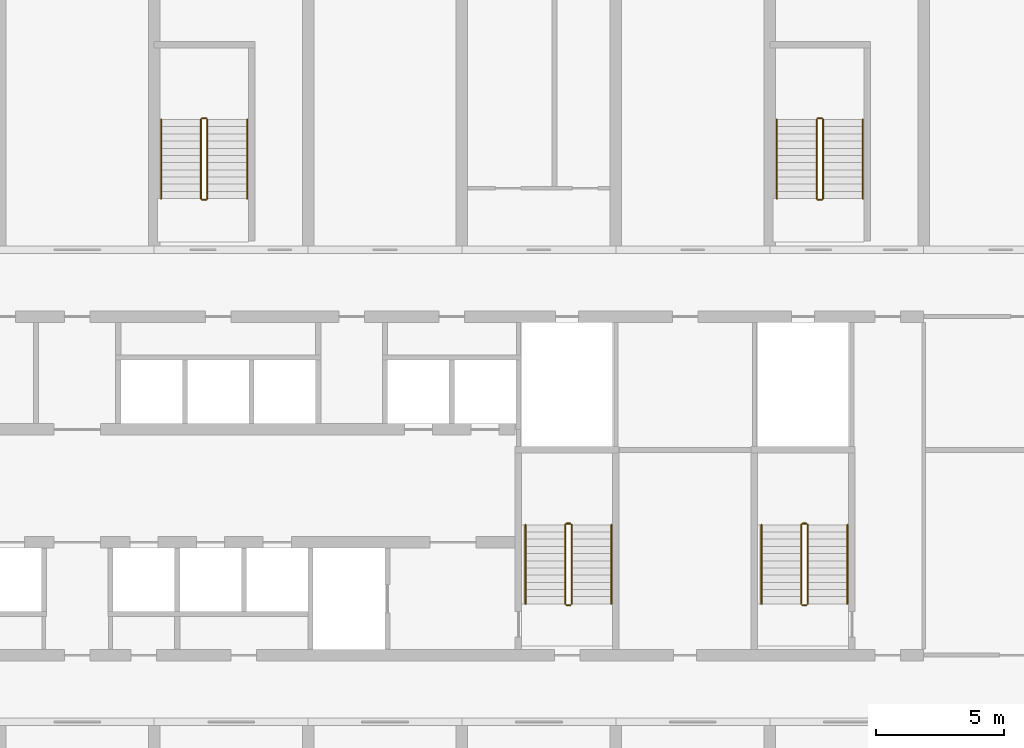
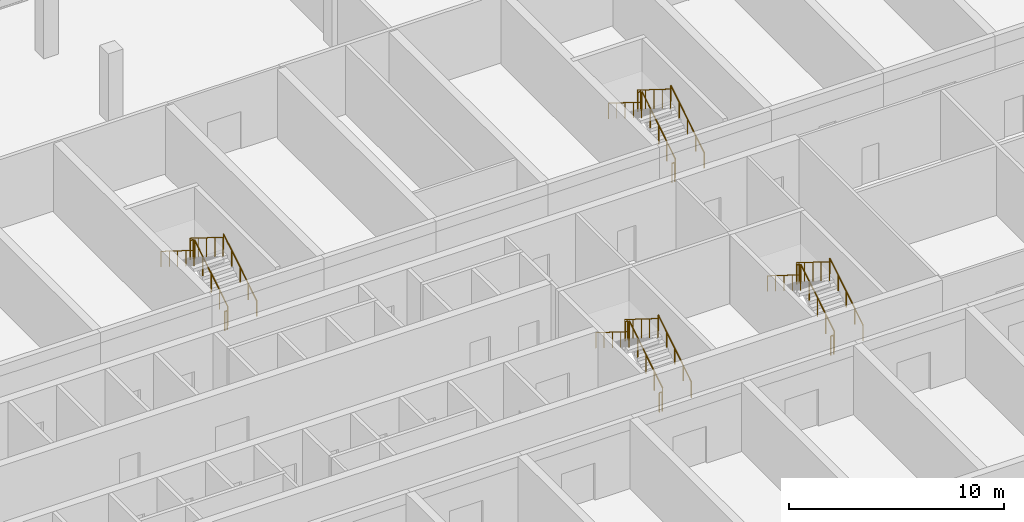
# One storey, part 14 of 15: 24 railings.
"""IFC4 building model written with IfcOpenShell, lengths in metres."""

from ifc_helpers import new_model, si_unit, direction, frame, origin, origin_2d, place, context, subcontext, project, spatial, circle, extrude, material, type_object, element, save


model = new_model("IFC4")

# Units and contexts
model_context = context("Model", 3, precision=1e-05, world=origin(), true_north=direction((0.0, 1.0)))
body_context = subcontext(model_context, "Body", "Model", "MODEL_VIEW")
ifc_project = project(units=[si_unit("LENGTHUNIT", "METRE"), si_unit("AREAUNIT", "SQUARE_METRE"), si_unit("VOLUMEUNIT", "CUBIC_METRE"), si_unit("PLANEANGLEUNIT", "RADIAN"), si_unit("MASSUNIT", "GRAM", prefix="KILO")], contexts=[model_context])

# Site, building, storey
site_placement = place(None, origin())
site = spatial("IfcSite", under=ifc_project, at=site_placement, CompositionType="ELEMENT")
building_placement = place(site_placement, origin())
building = spatial("IfcBuilding", under=site, at=building_placement, Name="Poui Terraces", CompositionType="ELEMENT")
storey_placement = place(building_placement, frame((0.0, 0.0, 10.800048828125)))
storey = spatial("IfcBuildingStorey", under=building, at=storey_placement, Name="L02", CompositionType="ELEMENT", Elevation=10.800048828125)

# Railings
ifc_material_1 = material(Name="Galvanised steel balustrade", Category="steel")
railing_type_1 = type_object("IfcRailingType", Name="STAIR GUARD 1100", PredefinedType="GUARDRAIL", material=ifc_material_1)
railing_1_placement = place(storey_placement, frame((70.27490234375, 16.60009765625, 0.175048828125)))
element("IfcRailing", 1, at=railing_1_placement, inside=storey, type_object=railing_type_1, Name="L02 ST-CE stair guard 1", PredefinedType="GUARDRAIL", context=body_context, shape_type="SweptSolid", body=[
    extrude(circle(Radius=0.02392578125, at=origin_2d()), frame((0.0, 0.0, 1.076171875), z_axis=(0.0, 0.848009633417, 0.529980812513), x_axis=(-1.0, 0.0, 0.0)), (0.0, 0.0, 1.0), 3.6318359375),
    extrude(circle(Radius=0.02099609375, at=origin_2d()), origin(), (0.0, 0.0, 1.0), 1.052001953125),
    extrude(circle(Radius=0.02099609375, at=origin_2d()), frame((0.0, 0.77001953125, 0.481201171875)), (0.0, 0.0, 1.0), 1.052001953125),
    extrude(circle(Radius=0.02099609375, at=origin_2d()), frame((0.0, 1.5400390625, 0.96240234375)), (0.0, 0.0, 1.0), 1.052001953125),
    extrude(circle(Radius=0.02099609375, at=origin_2d()), frame((0.0, 2.309814453125, 1.443603515625)), (0.0, 0.0, 1.0), 1.052001953125),
    extrude(circle(Radius=0.02099609375, at=origin_2d()), frame((0.0, 3.079833984375, 1.9248046875)), (0.0, 0.0, 1.0), 1.052001953125),
])
railing_2_placement = place(storey_placement, frame((70.22509765625, 19.72998046875, 2.099853515625)))
element("IfcRailing", 2, at=railing_2_placement, inside=storey, type_object=railing_type_1, Name="L02 ST-CE stair guard 2", PredefinedType="GUARDRAIL", context=body_context, shape_type="SweptSolid", body=[
    extrude(circle(Radius=0.02392578125, at=origin_2d()), frame((0.0, 0.0, 1.076171875), z_axis=(-1.0, 0.0, 0.0), x_axis=(0.0, -1.0, 0.0)), (0.0, 0.0, 1.0), 0.150146484375),
    extrude(circle(Radius=0.02099609375, at=origin_2d()), origin(), (0.0, 0.0, 1.0), 1.052001953125),
    extrude(circle(Radius=0.02099609375, at=origin_2d()), frame((-0.150146484375, 0.0, 0.0)), (0.0, 0.0, 1.0), 1.052001953125),
])
railing_3_placement = place(storey_placement, frame((70.02490234375, 19.679931640625, 2.27490234375)))
element("IfcRailing", 3, at=railing_3_placement, inside=storey, type_object=railing_type_1, Name="L02 ST-CE stair guard 3", PredefinedType="GUARDRAIL", context=body_context, shape_type="SweptSolid", body=[
    extrude(circle(Radius=0.02392578125, at=origin_2d()), frame((0.0, 0.0, 1.076171875), z_axis=(0.0, -0.847979421464, 0.530029150871), x_axis=(1.0, 0.0, 0.0)), (0.0, 0.0, 1.0), 3.632080078125),
    extrude(circle(Radius=0.02099609375, at=origin_2d()), origin(), (0.0, 0.0, 1.0), 1.052001953125),
    extrude(circle(Radius=0.02099609375, at=origin_2d()), frame((0.0, -0.77001953125, 0.481201171875)), (0.0, 0.0, 1.0), 1.052001953125),
    extrude(circle(Radius=0.02099609375, at=origin_2d()), frame((0.0, -1.5400390625, 0.96240234375)), (0.0, 0.0, 1.0), 1.052001953125),
    extrude(circle(Radius=0.02099609375, at=origin_2d()), frame((0.0, -2.309814453125, 1.44384765625)), (0.0, 0.0, 1.0), 1.052001953125),
    extrude(circle(Radius=0.02099609375, at=origin_2d()), frame((0.0, -3.079833984375, 1.925048828125)), (0.0, 0.0, 1.0), 1.052001953125),
])
railing_4_placement = place(storey_placement, frame((70.22509765625, 16.550048828125, 0.0)))
element("IfcRailing", 4, at=railing_4_placement, inside=storey, type_object=railing_type_1, Name="L02 ST-CE stair guard 4", PredefinedType="GUARDRAIL", context=body_context, shape_type="SweptSolid", body=[
    extrude(circle(Radius=0.02392578125, at=origin_2d()), frame((0.0, 0.0, 1.076171875), z_axis=(-1.0, 0.0, 0.0), x_axis=(0.0, -1.0, 0.0)), (0.0, 0.0, 1.0), 0.150146484375),
    extrude(circle(Radius=0.02099609375, at=origin_2d()), origin(), (0.0, 0.0, 1.0), 1.052001953125),
    extrude(circle(Radius=0.02099609375, at=origin_2d()), frame((-0.150146484375, 0.0, 0.0)), (0.0, 0.0, 1.0), 1.052001953125),
])
railing_5_placement = place(storey_placement, frame((79.47509765625, 16.60009765625, 0.175048828125)))
element("IfcRailing", 5, at=railing_5_placement, inside=storey, type_object=railing_type_1, Name="L02 ST-E stair guard 1", PredefinedType="GUARDRAIL", context=body_context, shape_type="SweptSolid", body=[
    extrude(circle(Radius=0.02392578125, at=origin_2d()), frame((0.0, 0.0, 1.076171875), z_axis=(0.0, 0.848009633417, 0.529980812513), x_axis=(-1.0, 0.0, 0.0)), (0.0, 0.0, 1.0), 3.6318359375),
    extrude(circle(Radius=0.02099609375, at=origin_2d()), origin(), (0.0, 0.0, 1.0), 1.052001953125),
    extrude(circle(Radius=0.02099609375, at=origin_2d()), frame((0.0, 0.77001953125, 0.481201171875)), (0.0, 0.0, 1.0), 1.052001953125),
    extrude(circle(Radius=0.02099609375, at=origin_2d()), frame((0.0, 1.5400390625, 0.96240234375)), (0.0, 0.0, 1.0), 1.052001953125),
    extrude(circle(Radius=0.02099609375, at=origin_2d()), frame((0.0, 2.309814453125, 1.443603515625)), (0.0, 0.0, 1.0), 1.052001953125),
    extrude(circle(Radius=0.02099609375, at=origin_2d()), frame((0.0, 3.079833984375, 1.9248046875)), (0.0, 0.0, 1.0), 1.052001953125),
])
railing_6_placement = place(storey_placement, frame((79.425048828125, 19.72998046875, 2.099853515625)))
element("IfcRailing", 6, at=railing_6_placement, inside=storey, type_object=railing_type_1, Name="L02 ST-E stair guard 2", PredefinedType="GUARDRAIL", context=body_context, shape_type="SweptSolid", body=[
    extrude(circle(Radius=0.02392578125, at=origin_2d()), frame((0.0, 0.0, 1.076171875), z_axis=(-1.0, 0.0, 0.0), x_axis=(0.0, -1.0, 0.0)), (0.0, 0.0, 1.0), 0.150146484375),
    extrude(circle(Radius=0.02099609375, at=origin_2d()), origin(), (0.0, 0.0, 1.0), 1.052001953125),
    extrude(circle(Radius=0.02099609375, at=origin_2d()), frame((-0.150146484375, 0.0, 0.0)), (0.0, 0.0, 1.0), 1.052001953125),
])
railing_7_placement = place(storey_placement, frame((79.22509765625, 19.679931640625, 2.27490234375)))
element("IfcRailing", 7, at=railing_7_placement, inside=storey, type_object=railing_type_1, Name="L02 ST-E stair guard 3", PredefinedType="GUARDRAIL", context=body_context, shape_type="SweptSolid", body=[
    extrude(circle(Radius=0.02392578125, at=origin_2d()), frame((0.0, 0.0, 1.076171875), z_axis=(0.0, -0.847979421464, 0.530029150871), x_axis=(1.0, 0.0, 0.0)), (0.0, 0.0, 1.0), 3.632080078125),
    extrude(circle(Radius=0.02099609375, at=origin_2d()), origin(), (0.0, 0.0, 1.0), 1.052001953125),
    extrude(circle(Radius=0.02099609375, at=origin_2d()), frame((0.0, -0.77001953125, 0.481201171875)), (0.0, 0.0, 1.0), 1.052001953125),
    extrude(circle(Radius=0.02099609375, at=origin_2d()), frame((0.0, -1.5400390625, 0.96240234375)), (0.0, 0.0, 1.0), 1.052001953125),
    extrude(circle(Radius=0.02099609375, at=origin_2d()), frame((0.0, -2.309814453125, 1.44384765625)), (0.0, 0.0, 1.0), 1.052001953125),
    extrude(circle(Radius=0.02099609375, at=origin_2d()), frame((0.0, -3.079833984375, 1.925048828125)), (0.0, 0.0, 1.0), 1.052001953125),
])
railing_8_placement = place(storey_placement, frame((79.425048828125, 16.550048828125, 0.0)))
element("IfcRailing", 8, at=railing_8_placement, inside=storey, type_object=railing_type_1, Name="L02 ST-E stair guard 4", PredefinedType="GUARDRAIL", context=body_context, shape_type="SweptSolid", body=[
    extrude(circle(Radius=0.02392578125, at=origin_2d()), frame((0.0, 0.0, 1.076171875), z_axis=(-1.0, 0.0, 0.0), x_axis=(0.0, -1.0, 0.0)), (0.0, 0.0, 1.0), 0.150146484375),
    extrude(circle(Radius=0.02099609375, at=origin_2d()), origin(), (0.0, 0.0, 1.0), 1.052001953125),
    extrude(circle(Radius=0.02099609375, at=origin_2d()), frame((-0.150146484375, 0.0, 0.0)), (0.0, 0.0, 1.0), 1.052001953125),
])
railing_9_placement = place(storey_placement, frame((80.074951171875, 32.39990234375, 0.175048828125)))
element("IfcRailing", 9, at=railing_9_placement, inside=storey, type_object=railing_type_1, Name="L02 ST-N2 stair guard 1", PredefinedType="GUARDRAIL", context=body_context, shape_type="SweptSolid", body=[
    extrude(circle(Radius=0.02392578125, at=origin_2d()), frame((0.0, 0.0, 1.076171875), z_axis=(0.0, 0.848028513186, 0.529950602248), x_axis=(-1.0, 0.0, 0.0)), (0.0, 0.0, 1.0), 3.632080078125),
    extrude(circle(Radius=0.02099609375, at=origin_2d()), origin(), (0.0, 0.0, 1.0), 1.052001953125),
    extrude(circle(Radius=0.02099609375, at=origin_2d()), frame((0.0, 0.77001953125, 0.481201171875)), (0.0, 0.0, 1.0), 1.052001953125),
    extrude(circle(Radius=0.02099609375, at=origin_2d()), frame((0.0, 1.5400390625, 0.96240234375)), (0.0, 0.0, 1.0), 1.052001953125),
    extrude(circle(Radius=0.02099609375, at=origin_2d()), frame((0.0, 2.31005859375, 1.443603515625)), (0.0, 0.0, 1.0), 1.052001953125),
    extrude(circle(Radius=0.02099609375, at=origin_2d()), frame((0.0, 3.080078125, 1.9248046875)), (0.0, 0.0, 1.0), 1.052001953125),
])
railing_10_placement = place(storey_placement, frame((80.02490234375, 35.530029296875, 2.099853515625)))
element("IfcRailing", 10, at=railing_10_placement, inside=storey, type_object=railing_type_1, Name="L02 ST-N2 stair guard 2", PredefinedType="GUARDRAIL", context=body_context, shape_type="SweptSolid", body=[
    extrude(circle(Radius=0.02392578125, at=origin_2d()), frame((0.0, 0.0, 1.076171875), z_axis=(-1.0, 0.0, 0.0), x_axis=(0.0, -1.0, 0.0)), (0.0, 0.0, 1.0), 0.14990234375),
    extrude(circle(Radius=0.02099609375, at=origin_2d()), origin(), (0.0, 0.0, 1.0), 1.052001953125),
    extrude(circle(Radius=0.02099609375, at=origin_2d()), frame((-0.14990234375, 0.0, 0.0)), (0.0, 0.0, 1.0), 1.052001953125),
])
railing_11_placement = place(storey_placement, frame((79.824951171875, 35.47998046875, 2.27490234375)))
element("IfcRailing", 11, at=railing_11_placement, inside=storey, type_object=railing_type_1, Name="L02 ST-N2 stair guard 3", PredefinedType="GUARDRAIL", context=body_context, shape_type="SweptSolid", body=[
    extrude(circle(Radius=0.02392578125, at=origin_2d()), frame((0.0, 0.0, 1.076171875), z_axis=(0.0, -0.847998304005, 0.529998940003), x_axis=(1.0, 0.0, 0.0)), (0.0, 0.0, 1.0), 3.632080078125),
    extrude(circle(Radius=0.02099609375, at=origin_2d()), origin(), (0.0, 0.0, 1.0), 1.052001953125),
    extrude(circle(Radius=0.02099609375, at=origin_2d()), frame((0.0, -0.77001953125, 0.481201171875)), (0.0, 0.0, 1.0), 1.052001953125),
    extrude(circle(Radius=0.02099609375, at=origin_2d()), frame((0.0, -1.5400390625, 0.96240234375)), (0.0, 0.0, 1.0), 1.052001953125),
    extrude(circle(Radius=0.02099609375, at=origin_2d()), frame((0.0, -2.31005859375, 1.44384765625)), (0.0, 0.0, 1.0), 1.052001953125),
    extrude(circle(Radius=0.02099609375, at=origin_2d()), frame((0.0, -3.080078125, 1.925048828125)), (0.0, 0.0, 1.0), 1.052001953125),
])
railing_12_placement = place(storey_placement, frame((80.02490234375, 32.35009765625, 0.0)))
element("IfcRailing", 12, at=railing_12_placement, inside=storey, type_object=railing_type_1, Name="L02 ST-N2 stair guard 4", PredefinedType="GUARDRAIL", context=body_context, shape_type="SweptSolid", body=[
    extrude(circle(Radius=0.02392578125, at=origin_2d()), frame((0.0, 0.0, 1.076171875), z_axis=(-1.0, 0.0, 0.0), x_axis=(0.0, -1.0, 0.0)), (0.0, 0.0, 1.0), 0.14990234375),
    extrude(circle(Radius=0.02099609375, at=origin_2d()), origin(), (0.0, 0.0, 1.0), 1.052001953125),
    extrude(circle(Radius=0.02099609375, at=origin_2d()), frame((-0.14990234375, 0.0, 0.0)), (0.0, 0.0, 1.0), 1.052001953125),
])
railing_13_placement = place(storey_placement, frame((56.074951171875, 32.39990234375, 0.175048828125)))
element("IfcRailing", 13, at=railing_13_placement, inside=storey, type_object=railing_type_1, Name="L02 ST-N3 stair guard 1", PredefinedType="GUARDRAIL", context=body_context, shape_type="SweptSolid", body=[
    extrude(circle(Radius=0.02392578125, at=origin_2d()), frame((0.0, 0.0, 1.076171875), z_axis=(0.0, 0.848028513186, 0.529950602248), x_axis=(-1.0, 0.0, 0.0)), (0.0, 0.0, 1.0), 3.632080078125),
    extrude(circle(Radius=0.02099609375, at=origin_2d()), origin(), (0.0, 0.0, 1.0), 1.052001953125),
    extrude(circle(Radius=0.02099609375, at=origin_2d()), frame((0.0, 0.77001953125, 0.481201171875)), (0.0, 0.0, 1.0), 1.052001953125),
    extrude(circle(Radius=0.02099609375, at=origin_2d()), frame((0.0, 1.5400390625, 0.96240234375)), (0.0, 0.0, 1.0), 1.052001953125),
    extrude(circle(Radius=0.02099609375, at=origin_2d()), frame((0.0, 2.31005859375, 1.443603515625)), (0.0, 0.0, 1.0), 1.052001953125),
    extrude(circle(Radius=0.02099609375, at=origin_2d()), frame((0.0, 3.080078125, 1.9248046875)), (0.0, 0.0, 1.0), 1.052001953125),
])
railing_14_placement = place(storey_placement, frame((56.02490234375, 35.530029296875, 2.099853515625)))
element("IfcRailing", 14, at=railing_14_placement, inside=storey, type_object=railing_type_1, Name="L02 ST-N3 stair guard 2", PredefinedType="GUARDRAIL", context=body_context, shape_type="SweptSolid", body=[
    extrude(circle(Radius=0.02392578125, at=origin_2d()), frame((0.0, 0.0, 1.076171875), z_axis=(-1.0, 0.0, 0.0), x_axis=(0.0, -1.0, 0.0)), (0.0, 0.0, 1.0), 0.14990234375),
    extrude(circle(Radius=0.02099609375, at=origin_2d()), origin(), (0.0, 0.0, 1.0), 1.052001953125),
    extrude(circle(Radius=0.02099609375, at=origin_2d()), frame((-0.14990234375, 0.0, 0.0)), (0.0, 0.0, 1.0), 1.052001953125),
])
railing_15_placement = place(storey_placement, frame((55.824951171875, 35.47998046875, 2.27490234375)))
element("IfcRailing", 15, at=railing_15_placement, inside=storey, type_object=railing_type_1, Name="L02 ST-N3 stair guard 3", PredefinedType="GUARDRAIL", context=body_context, shape_type="SweptSolid", body=[
    extrude(circle(Radius=0.02392578125, at=origin_2d()), frame((0.0, 0.0, 1.076171875), z_axis=(0.0, -0.847998304005, 0.529998940003), x_axis=(1.0, 0.0, 0.0)), (0.0, 0.0, 1.0), 3.632080078125),
    extrude(circle(Radius=0.02099609375, at=origin_2d()), origin(), (0.0, 0.0, 1.0), 1.052001953125),
    extrude(circle(Radius=0.02099609375, at=origin_2d()), frame((0.0, -0.77001953125, 0.481201171875)), (0.0, 0.0, 1.0), 1.052001953125),
    extrude(circle(Radius=0.02099609375, at=origin_2d()), frame((0.0, -1.5400390625, 0.96240234375)), (0.0, 0.0, 1.0), 1.052001953125),
    extrude(circle(Radius=0.02099609375, at=origin_2d()), frame((0.0, -2.31005859375, 1.44384765625)), (0.0, 0.0, 1.0), 1.052001953125),
    extrude(circle(Radius=0.02099609375, at=origin_2d()), frame((0.0, -3.080078125, 1.925048828125)), (0.0, 0.0, 1.0), 1.052001953125),
])
railing_16_placement = place(storey_placement, frame((56.02490234375, 32.35009765625, 0.0)))
element("IfcRailing", 16, at=railing_16_placement, inside=storey, type_object=railing_type_1, Name="L02 ST-N3 stair guard 4", PredefinedType="GUARDRAIL", context=body_context, shape_type="SweptSolid", body=[
    extrude(circle(Radius=0.02392578125, at=origin_2d()), frame((0.0, 0.0, 1.076171875), z_axis=(-1.0, 0.0, 0.0), x_axis=(0.0, -1.0, 0.0)), (0.0, 0.0, 1.0), 0.14990234375),
    extrude(circle(Radius=0.02099609375, at=origin_2d()), origin(), (0.0, 0.0, 1.0), 1.052001953125),
    extrude(circle(Radius=0.02099609375, at=origin_2d()), frame((-0.14990234375, 0.0, 0.0)), (0.0, 0.0, 1.0), 1.052001953125),
])
ifc_material_2 = material(Name="Stainless steel handrail", Category="steel")
railing_type_2 = type_object("IfcRailingType", Name="STAIR HANDRAIL 900", PredefinedType="HANDRAIL", material=ifc_material_2)
railing_17_placement = place(storey_placement, frame((71.824951171875, 16.60009765625, 0.175048828125)))
element("IfcRailing", 17, at=railing_17_placement, inside=storey, type_object=railing_type_2, Name="L02 ST-CE stair handrail 1", PredefinedType="HANDRAIL", context=body_context, shape_type="SweptSolid", body=[
    extrude(circle(Radius=0.02392578125, at=origin_2d()), frame((0.0, 0.0, 0.8759765625), z_axis=(0.0, 0.848009633417, 0.529980812513), x_axis=(-1.0, 0.0, 0.0)), (0.0, 0.0, 1.0), 3.6318359375),
    extrude(circle(Radius=0.02099609375, at=origin_2d()), origin(), (0.0, 0.0, 1.0), 0.851806640625),
    extrude(circle(Radius=0.02099609375, at=origin_2d()), frame((0.0, 0.77001953125, 0.481201171875)), (0.0, 0.0, 1.0), 0.851806640625),
    extrude(circle(Radius=0.02099609375, at=origin_2d()), frame((0.0, 1.5400390625, 0.96240234375)), (0.0, 0.0, 1.0), 0.851806640625),
    extrude(circle(Radius=0.02099609375, at=origin_2d()), frame((0.0, 2.309814453125, 1.443603515625)), (0.0, 0.0, 1.0), 0.851806640625),
    extrude(circle(Radius=0.02099609375, at=origin_2d()), frame((0.0, 3.079833984375, 1.9248046875)), (0.0, 0.0, 1.0), 0.851806640625),
])
railing_18_placement = place(storey_placement, frame((68.47509765625, 19.679931640625, 2.27490234375)))
element("IfcRailing", 18, at=railing_18_placement, inside=storey, type_object=railing_type_2, Name="L02 ST-CE stair handrail 2", PredefinedType="HANDRAIL", context=body_context, shape_type="SweptSolid", body=[
    extrude(circle(Radius=0.02392578125, at=origin_2d()), frame((0.0, 0.0, 0.8759765625), z_axis=(0.0, -0.847979421464, 0.530029150871), x_axis=(1.0, 0.0, 0.0)), (0.0, 0.0, 1.0), 3.632080078125),
    extrude(circle(Radius=0.02099609375, at=origin_2d()), origin(), (0.0, 0.0, 1.0), 0.851806640625),
    extrude(circle(Radius=0.02099609375, at=origin_2d()), frame((0.0, -0.77001953125, 0.481201171875)), (0.0, 0.0, 1.0), 0.851806640625),
    extrude(circle(Radius=0.02099609375, at=origin_2d()), frame((0.0, -1.5400390625, 0.96240234375)), (0.0, 0.0, 1.0), 0.851806640625),
    extrude(circle(Radius=0.02099609375, at=origin_2d()), frame((0.0, -2.309814453125, 1.44384765625)), (0.0, 0.0, 1.0), 0.851806640625),
    extrude(circle(Radius=0.02099609375, at=origin_2d()), frame((0.0, -3.079833984375, 1.925048828125)), (0.0, 0.0, 1.0), 0.851806640625),
])
railing_19_placement = place(storey_placement, frame((81.02490234375, 16.60009765625, 0.175048828125)))
element("IfcRailing", 19, at=railing_19_placement, inside=storey, type_object=railing_type_2, Name="L02 ST-E stair handrail 1", PredefinedType="HANDRAIL", context=body_context, shape_type="SweptSolid", body=[
    extrude(circle(Radius=0.02392578125, at=origin_2d()), frame((0.0, 0.0, 0.8759765625), z_axis=(0.0, 0.848009633417, 0.529980812513), x_axis=(-1.0, 0.0, 0.0)), (0.0, 0.0, 1.0), 3.6318359375),
    extrude(circle(Radius=0.02099609375, at=origin_2d()), origin(), (0.0, 0.0, 1.0), 0.851806640625),
    extrude(circle(Radius=0.02099609375, at=origin_2d()), frame((0.0, 0.77001953125, 0.481201171875)), (0.0, 0.0, 1.0), 0.851806640625),
    extrude(circle(Radius=0.02099609375, at=origin_2d()), frame((0.0, 1.5400390625, 0.96240234375)), (0.0, 0.0, 1.0), 0.851806640625),
    extrude(circle(Radius=0.02099609375, at=origin_2d()), frame((0.0, 2.309814453125, 1.443603515625)), (0.0, 0.0, 1.0), 0.851806640625),
    extrude(circle(Radius=0.02099609375, at=origin_2d()), frame((0.0, 3.079833984375, 1.9248046875)), (0.0, 0.0, 1.0), 0.851806640625),
])
railing_20_placement = place(storey_placement, frame((77.675048828125, 19.679931640625, 2.27490234375)))
element("IfcRailing", 20, at=railing_20_placement, inside=storey, type_object=railing_type_2, Name="L02 ST-E stair handrail 2", PredefinedType="HANDRAIL", context=body_context, shape_type="SweptSolid", body=[
    extrude(circle(Radius=0.02392578125, at=origin_2d()), frame((0.0, 0.0, 0.8759765625), z_axis=(0.0, -0.847979421464, 0.530029150871), x_axis=(1.0, 0.0, 0.0)), (0.0, 0.0, 1.0), 3.632080078125),
    extrude(circle(Radius=0.02099609375, at=origin_2d()), origin(), (0.0, 0.0, 1.0), 0.851806640625),
    extrude(circle(Radius=0.02099609375, at=origin_2d()), frame((0.0, -0.77001953125, 0.481201171875)), (0.0, 0.0, 1.0), 0.851806640625),
    extrude(circle(Radius=0.02099609375, at=origin_2d()), frame((0.0, -1.5400390625, 0.96240234375)), (0.0, 0.0, 1.0), 0.851806640625),
    extrude(circle(Radius=0.02099609375, at=origin_2d()), frame((0.0, -2.309814453125, 1.44384765625)), (0.0, 0.0, 1.0), 0.851806640625),
    extrude(circle(Radius=0.02099609375, at=origin_2d()), frame((0.0, -3.079833984375, 1.925048828125)), (0.0, 0.0, 1.0), 0.851806640625),
])
railing_21_placement = place(storey_placement, frame((81.625, 32.39990234375, 0.175048828125)))
element("IfcRailing", 21, at=railing_21_placement, inside=storey, type_object=railing_type_2, Name="L02 ST-N2 stair handrail 1", PredefinedType="HANDRAIL", context=body_context, shape_type="SweptSolid", body=[
    extrude(circle(Radius=0.02392578125, at=origin_2d()), frame((0.0, 0.0, 0.8759765625), z_axis=(0.0, 0.848028513186, 0.529950602248), x_axis=(-1.0, 0.0, 0.0)), (0.0, 0.0, 1.0), 3.632080078125),
    extrude(circle(Radius=0.02099609375, at=origin_2d()), origin(), (0.0, 0.0, 1.0), 0.851806640625),
    extrude(circle(Radius=0.02099609375, at=origin_2d()), frame((0.0, 0.77001953125, 0.481201171875)), (0.0, 0.0, 1.0), 0.851806640625),
    extrude(circle(Radius=0.02099609375, at=origin_2d()), frame((0.0, 1.5400390625, 0.96240234375)), (0.0, 0.0, 1.0), 0.851806640625),
    extrude(circle(Radius=0.02099609375, at=origin_2d()), frame((0.0, 2.31005859375, 1.443603515625)), (0.0, 0.0, 1.0), 0.851806640625),
    extrude(circle(Radius=0.02099609375, at=origin_2d()), frame((0.0, 3.080078125, 1.9248046875)), (0.0, 0.0, 1.0), 0.851806640625),
])
railing_22_placement = place(storey_placement, frame((78.27490234375, 35.47998046875, 2.27490234375)))
element("IfcRailing", 22, at=railing_22_placement, inside=storey, type_object=railing_type_2, Name="L02 ST-N2 stair handrail 2", PredefinedType="HANDRAIL", context=body_context, shape_type="SweptSolid", body=[
    extrude(circle(Radius=0.02392578125, at=origin_2d()), frame((0.0, 0.0, 0.8759765625), z_axis=(0.0, -0.847998304005, 0.529998940003), x_axis=(1.0, 0.0, 0.0)), (0.0, 0.0, 1.0), 3.632080078125),
    extrude(circle(Radius=0.02099609375, at=origin_2d()), origin(), (0.0, 0.0, 1.0), 0.851806640625),
    extrude(circle(Radius=0.02099609375, at=origin_2d()), frame((0.0, -0.77001953125, 0.481201171875)), (0.0, 0.0, 1.0), 0.851806640625),
    extrude(circle(Radius=0.02099609375, at=origin_2d()), frame((0.0, -1.5400390625, 0.96240234375)), (0.0, 0.0, 1.0), 0.851806640625),
    extrude(circle(Radius=0.02099609375, at=origin_2d()), frame((0.0, -2.31005859375, 1.44384765625)), (0.0, 0.0, 1.0), 0.851806640625),
    extrude(circle(Radius=0.02099609375, at=origin_2d()), frame((0.0, -3.080078125, 1.925048828125)), (0.0, 0.0, 1.0), 0.851806640625),
])
railing_23_placement = place(storey_placement, frame((57.625, 32.39990234375, 0.175048828125)))
element("IfcRailing", 23, at=railing_23_placement, inside=storey, type_object=railing_type_2, Name="L02 ST-N3 stair handrail 1", PredefinedType="HANDRAIL", context=body_context, shape_type="SweptSolid", body=[
    extrude(circle(Radius=0.02392578125, at=origin_2d()), frame((0.0, 0.0, 0.8759765625), z_axis=(0.0, 0.848028513186, 0.529950602248), x_axis=(-1.0, 0.0, 0.0)), (0.0, 0.0, 1.0), 3.632080078125),
    extrude(circle(Radius=0.02099609375, at=origin_2d()), origin(), (0.0, 0.0, 1.0), 0.851806640625),
    extrude(circle(Radius=0.02099609375, at=origin_2d()), frame((0.0, 0.77001953125, 0.481201171875)), (0.0, 0.0, 1.0), 0.851806640625),
    extrude(circle(Radius=0.02099609375, at=origin_2d()), frame((0.0, 1.5400390625, 0.96240234375)), (0.0, 0.0, 1.0), 0.851806640625),
    extrude(circle(Radius=0.02099609375, at=origin_2d()), frame((0.0, 2.31005859375, 1.443603515625)), (0.0, 0.0, 1.0), 0.851806640625),
    extrude(circle(Radius=0.02099609375, at=origin_2d()), frame((0.0, 3.080078125, 1.9248046875)), (0.0, 0.0, 1.0), 0.851806640625),
])
railing_24_placement = place(storey_placement, frame((54.27490234375, 35.47998046875, 2.27490234375)))
element("IfcRailing", 24, at=railing_24_placement, inside=storey, type_object=railing_type_2, Name="L02 ST-N3 stair handrail 2", PredefinedType="HANDRAIL", context=body_context, shape_type="SweptSolid", body=[
    extrude(circle(Radius=0.02392578125, at=origin_2d()), frame((0.0, 0.0, 0.8759765625), z_axis=(0.0, -0.847998304005, 0.529998940003), x_axis=(1.0, 0.0, 0.0)), (0.0, 0.0, 1.0), 3.632080078125),
    extrude(circle(Radius=0.02099609375, at=origin_2d()), origin(), (0.0, 0.0, 1.0), 0.851806640625),
    extrude(circle(Radius=0.02099609375, at=origin_2d()), frame((0.0, -0.77001953125, 0.481201171875)), (0.0, 0.0, 1.0), 0.851806640625),
    extrude(circle(Radius=0.02099609375, at=origin_2d()), frame((0.0, -1.5400390625, 0.96240234375)), (0.0, 0.0, 1.0), 0.851806640625),
    extrude(circle(Radius=0.02099609375, at=origin_2d()), frame((0.0, -2.31005859375, 1.44384765625)), (0.0, 0.0, 1.0), 0.851806640625),
    extrude(circle(Radius=0.02099609375, at=origin_2d()), frame((0.0, -3.080078125, 1.925048828125)), (0.0, 0.0, 1.0), 0.851806640625),
])

save(model, "model.ifc")
